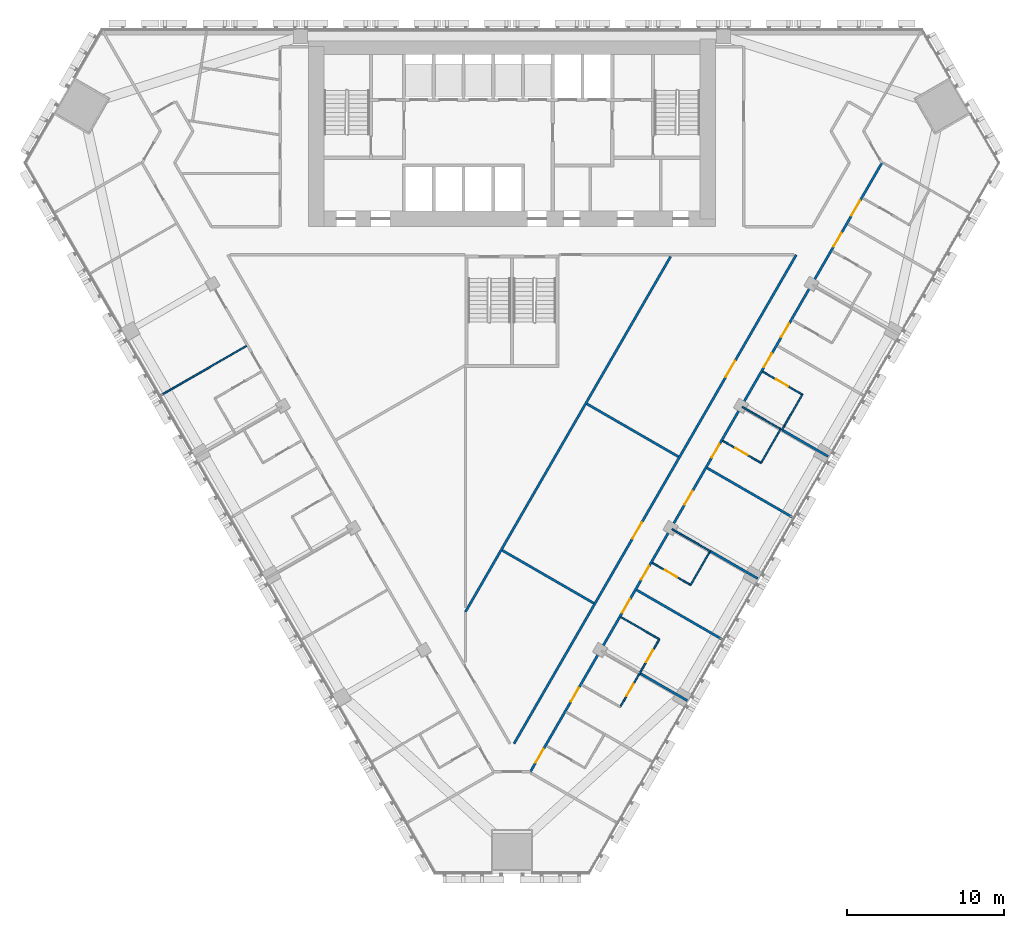
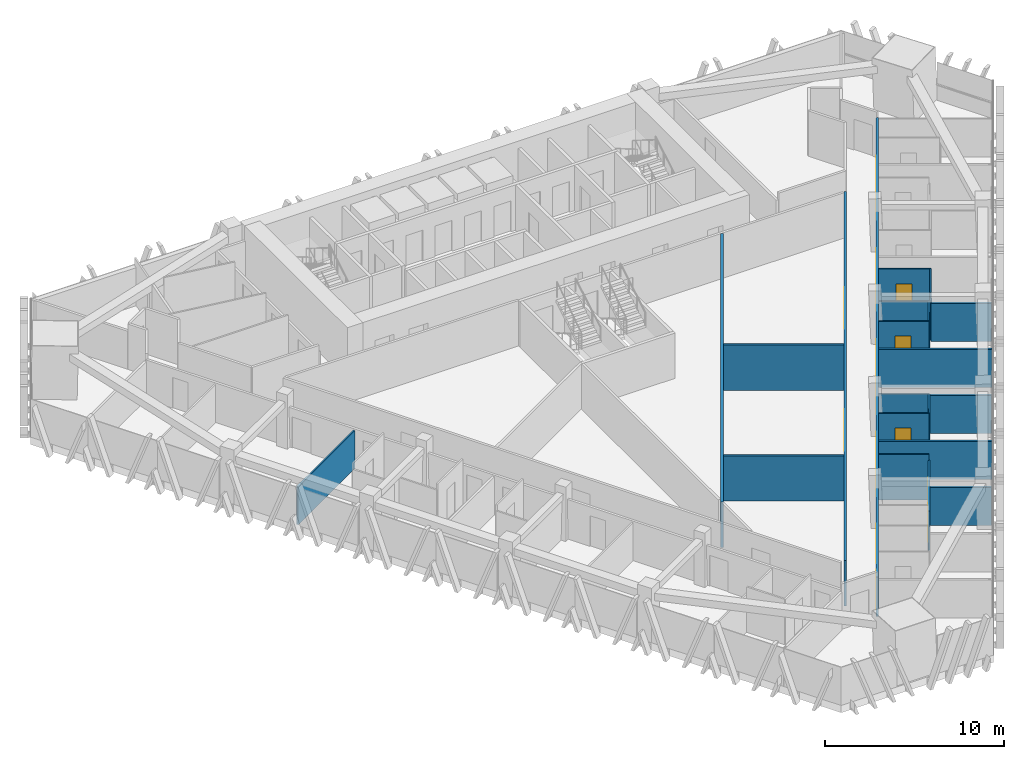
# One storey, part 11 of 18: 22 walls, 17 doors, 17 openings.
"""IFC4 building model written with IfcOpenShell, lengths in metres."""

from ifc_helpers import new_model, si_unit, direction, frame, frame_2d, origin, place, context, subcontext, project, spatial, rectangle, extrude, material, layer, layer_set, type_object, element, fill, save


model = new_model("IFC4")

# Units and contexts
model_context = context("Model", 3, precision=1e-05, world=origin(), true_north=direction((0.0, 1.0)))
body_context = subcontext(model_context, "Body", "Model", "MODEL_VIEW")
ifc_project = project(units=[si_unit("LENGTHUNIT", "METRE"), si_unit("AREAUNIT", "SQUARE_METRE"), si_unit("VOLUMEUNIT", "CUBIC_METRE"), si_unit("PLANEANGLEUNIT", "RADIAN"), si_unit("MASSUNIT", "GRAM", prefix="KILO")], contexts=[model_context])

# Site, building, storey
site_placement = place(None, origin())
site = spatial("IfcSite", under=ifc_project, at=site_placement, CompositionType="ELEMENT")
building_placement = place(site_placement, origin())
building = spatial("IfcBuilding", under=site, at=building_placement, Name="Altiplano Prism Tower", CompositionType="ELEMENT")
storey_placement = place(building_placement, frame((0.0, 0.0, 34.199951171875)))
storey = spatial("IfcBuildingStorey", under=building, at=storey_placement, Name="L07", CompositionType="ELEMENT", Elevation=34.199951171875)

# Wall
ifc_material_1 = material(Name="Plasterboard on steel stud", Category="steel")
ifc_layer_1 = layer(ifc_material_1, 0.10009765625)
ifc_layer_set_1 = layer_set([ifc_layer_1], Name="Plasterboard on steel stud")
wall_type_1 = type_object("IfcWallType", Name="Partition 100 unit", PredefinedType="PARTITIONING", material=ifc_layer_set_1)
wall_1_placement = place(storey_placement, frame((91.96240234375, 67.46337890625, 0.0), z_axis=(0.0, 0.0, 1.0), x_axis=(0.866011447264, -0.500024172624, 0.0)))
element("IfcWall", 1, at=wall_1_placement, inside=storey, type_object=wall_type_1, Name="Partition P02 L07 061", PredefinedType="PARTITIONING", context=body_context, shape_type="SweptSolid", body=[
    extrude(rectangle(XDim=2.824951171875, YDim=0.10009765625, at=frame_2d((1.41259765625, 0.0))), origin(), (0.0, 0.0, 1.0), 3.10009765625),
])

# Wall, openings, doors
wall_2_placement = place(storey_placement, frame((94.408935546875, 66.05078125, 0.0), z_axis=(0.0, 0.0, 1.0), x_axis=(-0.500004234368, -0.866022959057, 0.0)))
wall_2 = element("IfcWall", 2, at=wall_2_placement, inside=storey, type_object=wall_type_1, Name="Partition P02 L07 062", PredefinedType="PARTITIONING", context=body_context, shape_type="SweptSolid", body=[
    extrude(rectangle(XDim=5.0, YDim=0.10009765625, at=frame_2d((2.5, 0.0))), origin(), (0.0, 0.0, 1.0), 2.699951171875),
])
opening_1_placement = place(wall_2_placement, frame((3.300048828125, 0.0, 0.0)))
opening_1 = element("IfcOpeningElement", 3, at=opening_1_placement, cuts=wall_2, Name="Opening D0249", PredefinedType="OPENING", context=body_context, shape_type="SweptSolid", body=[
    extrude(rectangle(XDim=0.89990234375, YDim=2.10009765625, at=frame_2d((0.449951171875, 1.050048828125))), frame((0.0, 0.060546875, 0.0), z_axis=(0.0, -1.0, 0.0), x_axis=(1.0, 0.0, 0.0)), (0.0, 0.0, 1.0), 0.12109375),
])
opening_2_placement = place(wall_2_placement, frame((0.800048828125, 0.0, 0.0)))
opening_2 = element("IfcOpeningElement", 4, at=opening_2_placement, cuts=wall_2, Name="Opening D0251", PredefinedType="OPENING", context=body_context, shape_type="SweptSolid", body=[
    extrude(rectangle(XDim=0.89990234375, YDim=2.10009765625, at=frame_2d((0.449951171875, 1.050048828125))), frame((0.0, 0.060546875, 0.0), z_axis=(0.0, -1.0, 0.0), x_axis=(1.0, 0.0, 0.0)), (0.0, 0.0, 1.0), 0.12109375),
])
ifc_material_2 = material(Name="Timber", Category="wood")
door_type_1 = type_object("IfcDoorType", Name="Ensuite door 900 x 2100", OperationType="NOTDEFINED", PredefinedType="NOTDEFINED", material=ifc_material_2)
door_1_placement = place(opening_1_placement, origin())
door_1 = element("IfcDoor", 5, at=door_1_placement, inside=storey, type_object=door_type_1, Name="Door D0249", OperationType="SINGLE_SWING_RIGHT", OverallHeight=2.10009765625, OverallWidth=0.89990234375, PredefinedType="NOTDEFINED", context=body_context, shape_type="SweptSolid", body=[
    extrude(rectangle(XDim=0.89990234375, YDim=2.10009765625, at=frame_2d((0.449951171875, 1.050048828125))), frame((0.0, 0.02490234375, 0.0), z_axis=(0.0, -1.0, 0.0), x_axis=(1.0, 0.0, 0.0)), (0.0, 0.0, 1.0), 0.050048828125),
])
fill(opening_1, door_1)
door_2_placement = place(opening_2_placement, origin())
door_2 = element("IfcDoor", 6, at=door_2_placement, inside=storey, type_object=door_type_1, Name="Door D0251", OperationType="SINGLE_SWING_RIGHT", OverallHeight=2.10009765625, OverallWidth=0.89990234375, PredefinedType="NOTDEFINED", context=body_context, shape_type="SweptSolid", body=[
    extrude(rectangle(XDim=0.89990234375, YDim=2.10009765625, at=frame_2d((0.449951171875, 1.050048828125))), frame((0.0, 0.02490234375, 0.0), z_axis=(0.0, -1.0, 0.0), x_axis=(1.0, 0.0, 0.0)), (0.0, 0.0, 1.0), 0.050048828125),
])
fill(opening_2, door_2)

# Wall
wall_3_placement = place(storey_placement, frame((97.621337890625, 71.614990234375, 0.0), z_axis=(0.0, 0.0, 1.0), x_axis=(-0.499972286653, -0.866041403502, 0.0)))
element("IfcWall", 7, at=wall_3_placement, inside=storey, type_object=wall_type_1, Name="Partition P02 L07 064", PredefinedType="PARTITIONING", context=body_context, shape_type="SweptSolid", body=[
    extrude(rectangle(XDim=2.425048828125, YDim=0.10009765625, at=frame_2d((1.21240234375, 0.0))), origin(), (0.0, 0.0, 1.0), 2.699951171875),
])

# Wall, opening, door
wall_4_placement = place(storey_placement, frame((96.408935546875, 69.514892578125, 0.0), z_axis=(0.0, 0.0, 1.0), x_axis=(-0.866011447264, 0.500024172624, 0.0)))
wall_4 = element("IfcWall", 8, at=wall_4_placement, inside=storey, type_object=wall_type_1, Name="Partition P02 L07 065", PredefinedType="PARTITIONING", context=body_context, shape_type="SweptSolid", body=[
    extrude(rectangle(XDim=2.824951171875, YDim=0.10009765625, at=frame_2d((1.41259765625, 0.0))), origin(), (0.0, 0.0, 1.0), 3.10009765625),
])
opening_3_placement = place(wall_4_placement, frame((1.0, 0.0, 0.0)))
opening_3 = element("IfcOpeningElement", 9, at=opening_3_placement, cuts=wall_4, Name="Opening D0253", PredefinedType="OPENING", context=body_context, shape_type="SweptSolid", body=[
    extrude(rectangle(XDim=0.89990234375, YDim=2.10009765625, at=frame_2d((0.449951171875, 1.050048828125))), frame((0.0, 0.060546875, 0.0), z_axis=(0.0, -1.0, 0.0), x_axis=(1.0, 0.0, 0.0)), (0.0, 0.0, 1.0), 0.12109375),
])
door_3_placement = place(opening_3_placement, origin())
door_3 = element("IfcDoor", 10, at=door_3_placement, inside=storey, type_object=door_type_1, Name="Door D0253", OperationType="SINGLE_SWING_RIGHT", OverallHeight=2.10009765625, OverallWidth=0.89990234375, PredefinedType="NOTDEFINED", context=body_context, shape_type="SweptSolid", body=[
    extrude(rectangle(XDim=0.89990234375, YDim=2.10009765625, at=frame_2d((0.449951171875, 1.050048828125))), frame((0.0, 0.02490234375, 0.0), z_axis=(0.0, -1.0, 0.0), x_axis=(1.0, 0.0, 0.0)), (0.0, 0.0, 1.0), 0.050048828125),
])
fill(opening_3, door_3)

# Wall
wall_5_placement = place(storey_placement, frame((102.158935546875, 79.47412109375, 0.0), z_axis=(0.0, 0.0, 1.0), x_axis=(-0.500004234368, -0.866022959057, 0.0)))
element("IfcWall", 11, at=wall_5_placement, inside=storey, type_object=wall_type_1, Name="Partition P02 L07 069", PredefinedType="PARTITIONING", context=body_context, shape_type="SweptSolid", body=[
    extrude(rectangle(XDim=2.5, YDim=0.10009765625, at=frame_2d((1.25, 0.0))), origin(), (0.0, 0.0, 1.0), 2.699951171875),
])

# Wall, opening, door
wall_6_placement = place(storey_placement, frame((100.908935546875, 77.30908203125, 0.0), z_axis=(0.0, 0.0, 1.0), x_axis=(-0.866011447264, 0.500024172624, 0.0)))
wall_6 = element("IfcWall", 12, at=wall_6_placement, inside=storey, type_object=wall_type_1, Name="Partition P02 L07 070", PredefinedType="PARTITIONING", context=body_context, shape_type="SweptSolid", body=[
    extrude(rectangle(XDim=2.824951171875, YDim=0.10009765625, at=frame_2d((1.41259765625, 0.0))), origin(), (0.0, 0.0, 1.0), 3.10009765625),
])
opening_4_placement = place(wall_6_placement, frame((1.0, 0.0, 0.0)))
opening_4 = element("IfcOpeningElement", 13, at=opening_4_placement, cuts=wall_6, Name="Opening D0256", PredefinedType="OPENING", context=body_context, shape_type="SweptSolid", body=[
    extrude(rectangle(XDim=0.89990234375, YDim=2.10009765625, at=frame_2d((0.449951171875, 1.050048828125))), frame((0.0, 0.060546875, 0.0), z_axis=(0.0, -1.0, 0.0), x_axis=(1.0, 0.0, 0.0)), (0.0, 0.0, 1.0), 0.12109375),
])
door_4_placement = place(opening_4_placement, origin())
door_4 = element("IfcDoor", 14, at=door_4_placement, inside=storey, type_object=door_type_1, Name="Door D0256", OperationType="SINGLE_SWING_LEFT", OverallHeight=2.10009765625, OverallWidth=0.89990234375, PredefinedType="NOTDEFINED", context=body_context, shape_type="SweptSolid", body=[
    extrude(rectangle(XDim=0.89990234375, YDim=2.10009765625, at=frame_2d((0.449951171875, 1.050048828125))), frame((0.0, 0.02490234375, 0.0), z_axis=(0.0, -1.0, 0.0), x_axis=(1.0, 0.0, 0.0)), (0.0, 0.0, 1.0), 0.050048828125),
])
fill(opening_4, door_4)

wall_7_placement = place(storey_placement, frame((101.012451171875, 83.138427734375, 0.0), z_axis=(0.0, 0.0, 1.0), x_axis=(0.865989585315, -0.500062034277, 0.0)))
wall_7 = element("IfcWall", 15, at=wall_7_placement, inside=storey, type_object=wall_type_1, Name="Partition P02 L07 073", PredefinedType="PARTITIONING", context=body_context, shape_type="SweptSolid", body=[
    extrude(rectangle(XDim=2.925048828125, YDim=0.10009765625, at=frame_2d((1.46240234375, 0.0))), origin(), (0.0, 0.0, 1.0), 3.10009765625),
])
opening_5_placement = place(wall_7_placement, frame((0.97509765625, 0.0, 0.0)))
opening_5 = element("IfcOpeningElement", 16, at=opening_5_placement, cuts=wall_7, Name="Opening D0258", PredefinedType="OPENING", context=body_context, shape_type="SweptSolid", body=[
    extrude(rectangle(XDim=0.89990234375, YDim=2.10009765625, at=frame_2d((0.449951171875, 1.050048828125))), frame((0.0, 0.060546875, 0.0), z_axis=(0.0, -1.0, 0.0), x_axis=(1.0, 0.0, 0.0)), (0.0, 0.0, 1.0), 0.12109375),
])
door_5_placement = place(opening_5_placement, origin())
door_5 = element("IfcDoor", 17, at=door_5_placement, inside=storey, type_object=door_type_1, Name="Door D0258", OperationType="SINGLE_SWING_RIGHT", OverallHeight=2.10009765625, OverallWidth=0.89990234375, PredefinedType="NOTDEFINED", context=body_context, shape_type="SweptSolid", body=[
    extrude(rectangle(XDim=0.89990234375, YDim=2.10009765625, at=frame_2d((0.449951171875, 1.050048828125))), frame((0.0, 0.02490234375, 0.0), z_axis=(0.0, -1.0, 0.0), x_axis=(1.0, 0.0, 0.0)), (0.0, 0.0, 1.0), 0.050048828125),
])
fill(opening_5, door_5)

# Walls
wall_8_placement = place(storey_placement, frame((103.54541015625, 81.67578125, 0.0), z_axis=(0.0, 0.0, 1.0), x_axis=(-0.499998129301, -0.86602648383, 0.0)))
element("IfcWall", 18, at=wall_8_placement, inside=storey, type_object=wall_type_1, Name="Partition P02 L07 074", PredefinedType="PARTITIONING", context=body_context, shape_type="SweptSolid", body=[
    extrude(rectangle(XDim=2.2998046875, YDim=0.10009765625, at=frame_2d((1.14990234375, 0.0))), origin(), (0.0, 0.0, 1.0), 3.10009765625),
])
wall_9_placement = place(storey_placement, frame((102.3955078125, 79.68408203125, 0.0), z_axis=(0.0, 0.0, 1.0), x_axis=(-0.500426713919, -0.865778900179, 0.0)))
element("IfcWall", 19, at=wall_9_placement, inside=storey, type_object=wall_type_1, Name="Partition P02 L07 075", PredefinedType="PARTITIONING", context=body_context, shape_type="SweptSolid", body=[
    extrude(rectangle(XDim=0.300048828125, YDim=0.10009765625, at=frame_2d((0.14990234375, 0.0))), origin(), (0.0, 0.0, 1.0), 2.699951171875),
])
ifc_layer_2 = layer(ifc_material_1, 0.10009765625)
ifc_layer_set_2 = layer_set([ifc_layer_2], Name="Plasterboard on steel stud")
wall_type_2 = type_object("IfcWallType", Name="Partition 100 wet", PredefinedType="PARTITIONING", material=ifc_layer_set_2)
wall_10_placement = place(storey_placement, frame((62.54248046875, 81.611328125, 0.0), z_axis=(0.0, 0.0, 1.0), x_axis=(0.866025401434, 0.500000004071, 0.0)))
element("IfcWall", 20, at=wall_10_placement, inside=storey, type_object=wall_type_2, Name="Partition P03 L07 037", PredefinedType="PARTITIONING", context=body_context, shape_type="SweptSolid", body=[
    extrude(rectangle(XDim=6.34521484375, YDim=0.10009765625, at=frame_2d((3.172607421875, 0.0))), origin(), (0.0, 0.0, 1.0), 2.60009765625),
])
for number, where, z_axis, x_axis, name in (
    (21, (97.67626953125, 71.669921875, 0.0), (0.0, 0.0, 1.0), (-0.866011243319, 0.500024525844, 0.0), "Partition P03 L07 067"),
    (22, (102.17626953125, 79.464111328125, 0.0), (0.0, 0.0, 1.0), (-0.866011243319, 0.500024525844, 0.0), "Partition P03 L07 072"),
):
    element("IfcWall", number, at=place(storey_placement, frame(where, z_axis=z_axis, x_axis=x_axis)), inside=storey, type_object=wall_type_2, Name=name, PredefinedType="PARTITIONING", context=body_context, shape_type="SweptSolid", body=[
        extrude(rectangle(XDim=2.844970703125, YDim=0.10009765625, at=frame_2d((1.42236328125, 0.0))), origin(), (0.0, 0.0, 1.0), 2.699951171875),
    ])

# Wall, openings, doors
ifc_layer_3 = layer(ifc_material_1, 0.14990234375)
ifc_layer_set_3 = layer_set([ifc_layer_3], Name="Plasterboard on steel stud")
wall_type_3 = type_object("IfcWallType", Name="Partition 150 corridor", PredefinedType="PARTITIONING", material=ifc_layer_set_3)
wall_11_placement = place(storey_placement, frame((86.170166015625, 57.5810546875, 0.0), z_axis=(0.0, 0.0, 1.0), x_axis=(0.499999785607, 0.866025527565, 0.0)))
wall_11 = element("IfcWall", 23, at=wall_11_placement, inside=storey, type_object=wall_type_3, Name="Partition P06 L07 012", PredefinedType="PARTITIONING", context=body_context, shape_type="SweptSolid", body=[
    extrude(rectangle(XDim=44.90869140625, YDim=0.14990234375, at=frame_2d((22.454345703125, 0.0))), origin(), (0.0, 0.0, 1.0), 2.699951171875),
])
opening_6_placement = place(wall_11_placement, frame((0.675048828125, 0.0, 0.0)))
opening_6 = element("IfcOpeningElement", 24, at=opening_6_placement, cuts=wall_11, Name="Opening D0246", PredefinedType="OPENING", context=body_context, shape_type="SweptSolid", body=[
    extrude(rectangle(XDim=1.0, YDim=2.10009765625, at=frame_2d((0.5, 1.050048828125))), frame((0.0, 0.08544921875, 0.0), z_axis=(0.0, -1.0, 0.0), x_axis=(1.0, 0.0, 0.0)), (0.0, 0.0, 1.0), 0.1708984375),
])
opening_7_placement = place(wall_11_placement, frame((5.175048828125, 0.0, 0.0)))
opening_7 = element("IfcOpeningElement", 25, at=opening_7_placement, cuts=wall_11, Name="Opening D0248", PredefinedType="OPENING", context=body_context, shape_type="SweptSolid", body=[
    extrude(rectangle(XDim=1.0, YDim=2.10009765625, at=frame_2d((0.5, 1.050048828125))), frame((0.0, 0.08544921875, 0.0), z_axis=(0.0, -1.0, 0.0), x_axis=(1.0, 0.0, 0.0)), (0.0, 0.0, 1.0), 0.1708984375),
])
opening_8_placement = place(wall_11_placement, frame((11.73388671875, 0.0, 0.0)))
opening_8 = element("IfcOpeningElement", 26, at=opening_8_placement, cuts=wall_11, Name="Opening D0250", PredefinedType="OPENING", context=body_context, shape_type="SweptSolid", body=[
    extrude(rectangle(XDim=1.0, YDim=2.10009765625, at=frame_2d((0.5, 1.050048828125))), frame((0.0, 0.08544921875, 0.0), z_axis=(0.0, -1.0, 0.0), x_axis=(1.0, 0.0, 0.0)), (0.0, 0.0, 1.0), 0.1708984375),
])
opening_9_placement = place(wall_11_placement, frame((14.175048828125, 0.0, 0.0)))
opening_9 = element("IfcOpeningElement", 27, at=opening_9_placement, cuts=wall_11, Name="Opening D0252", PredefinedType="OPENING", context=body_context, shape_type="SweptSolid", body=[
    extrude(rectangle(XDim=1.0, YDim=2.10009765625, at=frame_2d((0.5, 1.050048828125))), frame((0.0, 0.08544921875, 0.0), z_axis=(0.0, -1.0, 0.0), x_axis=(1.0, 0.0, 0.0)), (0.0, 0.0, 1.0), 0.1708984375),
])
opening_10_placement = place(wall_11_placement, frame((19.7041015625, 0.0, 0.0)))
opening_10 = element("IfcOpeningElement", 28, at=opening_10_placement, cuts=wall_11, Name="Opening D0254", PredefinedType="OPENING", context=body_context, shape_type="SweptSolid", body=[
    extrude(rectangle(XDim=1.0, YDim=2.10009765625, at=frame_2d((0.5, 1.050048828125))), frame((0.0, 0.08544921875, 0.0), z_axis=(0.0, -1.0, 0.0), x_axis=(1.0, 0.0, 0.0)), (0.0, 0.0, 1.0), 0.1708984375),
])
opening_11_placement = place(wall_11_placement, frame((23.175048828125, 0.0, 0.0)))
opening_11 = element("IfcOpeningElement", 29, at=opening_11_placement, cuts=wall_11, Name="Opening D0255", PredefinedType="OPENING", context=body_context, shape_type="SweptSolid", body=[
    extrude(rectangle(XDim=1.0, YDim=2.10009765625, at=frame_2d((0.5, 1.050048828125))), frame((0.0, 0.08544921875, 0.0), z_axis=(0.0, -1.0, 0.0), x_axis=(1.0, 0.0, 0.0)), (0.0, 0.0, 1.0), 0.1708984375),
])
opening_12_placement = place(wall_11_placement, frame((29.85009765625, 0.0, 0.0)))
opening_12 = element("IfcOpeningElement", 30, at=opening_12_placement, cuts=wall_11, Name="Opening D0257", PredefinedType="OPENING", context=body_context, shape_type="SweptSolid", body=[
    extrude(rectangle(XDim=1.0, YDim=2.10009765625, at=frame_2d((0.5, 1.050048828125))), frame((0.0, 0.08544921875, 0.0), z_axis=(0.0, -1.0, 0.0), x_axis=(1.0, 0.0, 0.0)), (0.0, 0.0, 1.0), 0.1708984375),
])
opening_13_placement = place(wall_11_placement, frame((32.05908203125, 0.0, 0.0)))
opening_13 = element("IfcOpeningElement", 31, at=opening_13_placement, cuts=wall_11, Name="Opening D0259", PredefinedType="OPENING", context=body_context, shape_type="SweptSolid", body=[
    extrude(rectangle(XDim=1.0, YDim=2.10009765625, at=frame_2d((0.5, 1.050048828125))), frame((0.0, 0.08544921875, 0.0), z_axis=(0.0, -1.0, 0.0), x_axis=(1.0, 0.0, 0.0)), (0.0, 0.0, 1.0), 0.1708984375),
])
opening_14_placement = place(wall_11_placement, frame((38.73388671875, 0.0, 0.0)))
opening_14 = element("IfcOpeningElement", 32, at=opening_14_placement, cuts=wall_11, Name="Opening D0261", PredefinedType="OPENING", context=body_context, shape_type="SweptSolid", body=[
    extrude(rectangle(XDim=1.0, YDim=2.10009765625, at=frame_2d((0.5, 1.050048828125))), frame((0.0, 0.08544921875, 0.0), z_axis=(0.0, -1.0, 0.0), x_axis=(1.0, 0.0, 0.0)), (0.0, 0.0, 1.0), 0.1708984375),
])
opening_15_placement = place(wall_11_placement, frame((41.02490234375, 0.0, 0.0)))
opening_15 = element("IfcOpeningElement", 33, at=opening_15_placement, cuts=wall_11, Name="Opening D0263", PredefinedType="OPENING", context=body_context, shape_type="SweptSolid", body=[
    extrude(rectangle(XDim=1.10009765625, YDim=2.10009765625, at=frame_2d((0.550048828125, 1.050048828125))), frame((0.0, 0.08544921875, 0.0), z_axis=(0.0, -1.0, 0.0), x_axis=(1.0, 0.0, 0.0)), (0.0, 0.0, 1.0), 0.1708984375),
])
door_type_2 = type_object("IfcDoorType", Name="Accessible bedroom door 1100 x 2100", OperationType="NOTDEFINED", PredefinedType="NOTDEFINED", material=ifc_material_2)
door_6_placement = place(opening_15_placement, origin())
door_6 = element("IfcDoor", 34, at=door_6_placement, inside=storey, type_object=door_type_2, Name="Door D0263", OperationType="SINGLE_SWING_RIGHT", OverallHeight=2.10009765625, OverallWidth=1.10009765625, PredefinedType="NOTDEFINED", context=body_context, shape_type="SweptSolid", body=[
    extrude(rectangle(XDim=1.10009765625, YDim=2.10009765625, at=frame_2d((0.550048828125, 1.050048828125))), frame((0.0, 0.02490234375, 0.0), z_axis=(0.0, -1.0, 0.0), x_axis=(1.0, 0.0, 0.0)), (0.0, 0.0, 1.0), 0.050048828125),
])
fill(opening_15, door_6)
door_type_3 = type_object("IfcDoorType", Name="Bedroom entrance door 1000 x 2100", OperationType="NOTDEFINED", PredefinedType="NOTDEFINED", material=ifc_material_2)
door_7_placement = place(opening_6_placement, origin())
door_7 = element("IfcDoor", 35, at=door_7_placement, inside=storey, type_object=door_type_3, Name="Door D0246", OperationType="SINGLE_SWING_RIGHT", OverallHeight=2.10009765625, OverallWidth=1.0, PredefinedType="NOTDEFINED", context=body_context, shape_type="SweptSolid", body=[
    extrude(rectangle(XDim=1.0, YDim=2.10009765625, at=frame_2d((0.5, 1.050048828125))), frame((0.0, 0.02490234375, 0.0), z_axis=(0.0, -1.0, 0.0), x_axis=(1.0, 0.0, 0.0)), (0.0, 0.0, 1.0), 0.050048828125),
])
fill(opening_6, door_7)
door_8_placement = place(opening_7_placement, origin())
door_8 = element("IfcDoor", 36, at=door_8_placement, inside=storey, type_object=door_type_3, Name="Door D0248", OperationType="SINGLE_SWING_RIGHT", OverallHeight=2.10009765625, OverallWidth=1.0, PredefinedType="NOTDEFINED", context=body_context, shape_type="SweptSolid", body=[
    extrude(rectangle(XDim=1.0, YDim=2.10009765625, at=frame_2d((0.5, 1.050048828125))), frame((0.0, 0.02490234375, 0.0), z_axis=(0.0, -1.0, 0.0), x_axis=(1.0, 0.0, 0.0)), (0.0, 0.0, 1.0), 0.050048828125),
])
fill(opening_7, door_8)
door_9_placement = place(opening_8_placement, origin())
door_9 = element("IfcDoor", 37, at=door_9_placement, inside=storey, type_object=door_type_3, Name="Door D0250", OperationType="SINGLE_SWING_RIGHT", OverallHeight=2.10009765625, OverallWidth=1.0, PredefinedType="NOTDEFINED", context=body_context, shape_type="SweptSolid", body=[
    extrude(rectangle(XDim=1.0, YDim=2.10009765625, at=frame_2d((0.5, 1.050048828125))), frame((0.0, 0.02490234375, 0.0), z_axis=(0.0, -1.0, 0.0), x_axis=(1.0, 0.0, 0.0)), (0.0, 0.0, 1.0), 0.050048828125),
])
fill(opening_8, door_9)
door_10_placement = place(opening_9_placement, origin())
door_10 = element("IfcDoor", 38, at=door_10_placement, inside=storey, type_object=door_type_3, Name="Door D0252", OperationType="SINGLE_SWING_LEFT", OverallHeight=2.10009765625, OverallWidth=1.0, PredefinedType="NOTDEFINED", context=body_context, shape_type="SweptSolid", body=[
    extrude(rectangle(XDim=1.0, YDim=2.10009765625, at=frame_2d((0.5, 1.050048828125))), frame((0.0, 0.02490234375, 0.0), z_axis=(0.0, -1.0, 0.0), x_axis=(1.0, 0.0, 0.0)), (0.0, 0.0, 1.0), 0.050048828125),
])
fill(opening_9, door_10)
door_11_placement = place(opening_11_placement, origin())
door_11 = element("IfcDoor", 39, at=door_11_placement, inside=storey, type_object=door_type_3, Name="Door D0255", OperationType="SINGLE_SWING_RIGHT", OverallHeight=2.10009765625, OverallWidth=1.0, PredefinedType="NOTDEFINED", context=body_context, shape_type="SweptSolid", body=[
    extrude(rectangle(XDim=1.0, YDim=2.10009765625, at=frame_2d((0.5, 1.050048828125))), frame((0.0, 0.02490234375, 0.0), z_axis=(0.0, -1.0, 0.0), x_axis=(1.0, 0.0, 0.0)), (0.0, 0.0, 1.0), 0.050048828125),
])
fill(opening_11, door_11)
door_12_placement = place(opening_12_placement, origin())
door_12 = element("IfcDoor", 40, at=door_12_placement, inside=storey, type_object=door_type_3, Name="Door D0257", OperationType="SINGLE_SWING_RIGHT", OverallHeight=2.10009765625, OverallWidth=1.0, PredefinedType="NOTDEFINED", context=body_context, shape_type="SweptSolid", body=[
    extrude(rectangle(XDim=1.0, YDim=2.10009765625, at=frame_2d((0.5, 1.050048828125))), frame((0.0, 0.02490234375, 0.0), z_axis=(0.0, -1.0, 0.0), x_axis=(1.0, 0.0, 0.0)), (0.0, 0.0, 1.0), 0.050048828125),
])
fill(opening_12, door_12)
door_13_placement = place(opening_13_placement, origin())
door_13 = element("IfcDoor", 41, at=door_13_placement, inside=storey, type_object=door_type_3, Name="Door D0259", OperationType="SINGLE_SWING_LEFT", OverallHeight=2.10009765625, OverallWidth=1.0, PredefinedType="NOTDEFINED", context=body_context, shape_type="SweptSolid", body=[
    extrude(rectangle(XDim=1.0, YDim=2.10009765625, at=frame_2d((0.5, 1.050048828125))), frame((0.0, 0.02490234375, 0.0), z_axis=(0.0, -1.0, 0.0), x_axis=(1.0, 0.0, 0.0)), (0.0, 0.0, 1.0), 0.050048828125),
])
fill(opening_13, door_13)
door_14_placement = place(opening_14_placement, origin())
door_14 = element("IfcDoor", 42, at=door_14_placement, inside=storey, type_object=door_type_3, Name="Door D0261", OperationType="SINGLE_SWING_RIGHT", OverallHeight=2.10009765625, OverallWidth=1.0, PredefinedType="NOTDEFINED", context=body_context, shape_type="SweptSolid", body=[
    extrude(rectangle(XDim=1.0, YDim=2.10009765625, at=frame_2d((0.5, 1.050048828125))), frame((0.0, 0.02490234375, 0.0), z_axis=(0.0, -1.0, 0.0), x_axis=(1.0, 0.0, 0.0)), (0.0, 0.0, 1.0), 0.050048828125),
])
fill(opening_14, door_14)
door_type_4 = type_object("IfcDoorType", Name="Room door 1000 x 2100", OperationType="NOTDEFINED", PredefinedType="NOTDEFINED", material=ifc_material_2)
door_15_placement = place(opening_10_placement, origin())
door_15 = element("IfcDoor", 43, at=door_15_placement, inside=storey, type_object=door_type_4, Name="Door D0254", OperationType="SINGLE_SWING_LEFT", OverallHeight=2.10009765625, OverallWidth=1.0, PredefinedType="NOTDEFINED", context=body_context, shape_type="SweptSolid", body=[
    extrude(rectangle(XDim=1.0, YDim=2.10009765625, at=frame_2d((0.5, 1.050048828125))), frame((0.0, 0.02490234375, 0.0), z_axis=(0.0, -1.0, 0.0), x_axis=(1.0, 0.0, 0.0)), (0.0, 0.0, 1.0), 0.050048828125),
])
fill(opening_10, door_15)

wall_12_placement = place(storey_placement, frame((103.1552734375, 90.60009765625, 0.0), z_axis=(0.0, 0.0, 1.0), x_axis=(-0.499997404558, -0.866026902258, 0.0)))
wall_12 = element("IfcWall", 44, at=wall_12_placement, inside=storey, type_object=wall_type_3, Name="Partition P06 L07 024", PredefinedType="PARTITIONING", context=body_context, shape_type="SweptSolid", body=[
    extrude(rectangle(XDim=36.048583984375, YDim=0.14990234375, at=frame_2d((18.0244140625, 0.0))), origin(), (0.0, 0.0, 1.0), 3.10009765625),
])
opening_16_placement = place(wall_12_placement, frame((7.80908203125, 0.0, 0.0)))
opening_16 = element("IfcOpeningElement", 45, at=opening_16_placement, cuts=wall_12, Name="Opening D0269", PredefinedType="OPENING", context=body_context, shape_type="SweptSolid", body=[
    extrude(rectangle(XDim=1.199951171875, YDim=2.10009765625, at=frame_2d((0.60009765625, 1.050048828125))), frame((0.0, 0.08544921875, 0.0), z_axis=(0.0, -1.0, 0.0), x_axis=(1.0, 0.0, 0.0)), (0.0, 0.0, 1.0), 0.1708984375),
])
opening_17_placement = place(wall_12_placement, frame((19.73095703125, 0.0, 0.0)))
opening_17 = element("IfcOpeningElement", 46, at=opening_17_placement, cuts=wall_12, Name="Opening D0271", PredefinedType="OPENING", context=body_context, shape_type="SweptSolid", body=[
    extrude(rectangle(XDim=1.199951171875, YDim=2.10009765625, at=frame_2d((0.60009765625, 1.050048828125))), frame((0.0, 0.08544921875, 0.0), z_axis=(0.0, -1.0, 0.0), x_axis=(1.0, 0.0, 0.0)), (0.0, 0.0, 1.0), 0.1708984375),
])
door_type_5 = type_object("IfcDoorType", Name="Shared room door 1200 x 2100", OperationType="NOTDEFINED", PredefinedType="NOTDEFINED", material=ifc_material_2)
door_16_placement = place(opening_16_placement, origin())
door_16 = element("IfcDoor", 47, at=door_16_placement, inside=storey, type_object=door_type_5, Name="Door D0269", OperationType="SINGLE_SWING_RIGHT", OverallHeight=2.10009765625, OverallWidth=1.199951171875, PredefinedType="NOTDEFINED", context=body_context, shape_type="SweptSolid", body=[
    extrude(rectangle(XDim=1.199951171875, YDim=2.10009765625, at=frame_2d((0.60009765625, 1.050048828125))), frame((0.0, 0.02490234375, 0.0), z_axis=(0.0, -1.0, 0.0), x_axis=(1.0, 0.0, 0.0)), (0.0, 0.0, 1.0), 0.050048828125),
])
fill(opening_16, door_16)
door_17_placement = place(opening_17_placement, origin())
door_17 = element("IfcDoor", 48, at=door_17_placement, inside=storey, type_object=door_type_5, Name="Door D0271", OperationType="SINGLE_SWING_RIGHT", OverallHeight=2.10009765625, OverallWidth=1.199951171875, PredefinedType="NOTDEFINED", context=body_context, shape_type="SweptSolid", body=[
    extrude(rectangle(XDim=1.199951171875, YDim=2.10009765625, at=frame_2d((0.60009765625, 1.050048828125))), frame((0.0, 0.02490234375, 0.0), z_axis=(0.0, -1.0, 0.0), x_axis=(1.0, 0.0, 0.0)), (0.0, 0.0, 1.0), 0.050048828125),
])
fill(opening_17, door_17)

# Walls
ifc_layer_4 = layer(ifc_material_1, 0.14990234375)
ifc_layer_set_4 = layer_set([ifc_layer_4], Name="Plasterboard on steel stud")
wall_type_4 = type_object("IfcWallType", Name="Partition 150 party", PredefinedType="PARTITIONING", material=ifc_layer_set_4)
wall_13_placement = place(storey_placement, frame((96.18994140625, 62.1357421875, 0.0), z_axis=(0.0, 0.0, 1.0), x_axis=(-0.866013532718, 0.500020560727, 0.0)))
element("IfcWall", 49, at=wall_13_placement, inside=storey, type_object=wall_type_4, Name="Partition P01 L07 059", PredefinedType="PARTITIONING", context=body_context, shape_type="SweptSolid", body=[
    extrude(rectangle(XDim=3.449951171875, YDim=0.14990234375, at=frame_2d((1.72509765625, 0.0))), origin(), (0.0, 0.0, 1.0), 2.60009765625),
])
wall_14_placement = place(storey_placement, frame((98.45751953125, 66.022705078125, 0.0), z_axis=(0.0, 0.0, 1.0), x_axis=(-0.866025401434, 0.500000004071, 0.0)))
element("IfcWall", 50, at=wall_14_placement, inside=storey, type_object=wall_type_4, Name="Partition P01 L07 063", PredefinedType="PARTITIONING", context=body_context, shape_type="SweptSolid", body=[
    extrude(rectangle(XDim=6.34521484375, YDim=0.14990234375, at=frame_2d((3.172607421875, 0.0))), origin(), (0.0, 0.0, 1.0), 2.60009765625),
])
wall_15_placement = place(storey_placement, frame((100.68994140625, 69.929931640625, 0.0), z_axis=(0.0, 0.0, 1.0), x_axis=(-0.866019260715, 0.500010639957, 0.0)))
element("IfcWall", 51, at=wall_15_placement, inside=storey, type_object=wall_type_4, Name="Partition P01 L07 066", PredefinedType="PARTITIONING", context=body_context, shape_type="SweptSolid", body=[
    extrude(rectangle(XDim=3.52001953125, YDim=0.14990234375, at=frame_2d((1.760009765625, 0.0))), origin(), (0.0, 0.0, 1.0), 2.60009765625),
])
wall_16_placement = place(storey_placement, frame((102.95751953125, 73.81689453125, 0.0), z_axis=(0.0, 0.0, 1.0), x_axis=(-0.866025401434, 0.500000004071, 0.0)))
element("IfcWall", 52, at=wall_16_placement, inside=storey, type_object=wall_type_4, Name="Partition P01 L07 068", PredefinedType="PARTITIONING", context=body_context, shape_type="SweptSolid", body=[
    extrude(rectangle(XDim=6.34521484375, YDim=0.14990234375, at=frame_2d((3.172607421875, 0.0))), origin(), (0.0, 0.0, 1.0), 2.60009765625),
])
wall_17_placement = place(storey_placement, frame((105.18994140625, 77.72412109375, 0.0), z_axis=(0.0, 0.0, 1.0), x_axis=(-0.866007419912, 0.500031147688, 0.0)))
element("IfcWall", 53, at=wall_17_placement, inside=storey, type_object=wall_type_4, Name="Partition P01 L07 071", PredefinedType="PARTITIONING", context=body_context, shape_type="SweptSolid", body=[
    extrude(rectangle(XDim=3.400146484375, YDim=0.14990234375, at=frame_2d((1.7001953125, 0.0))), origin(), (0.0, 0.0, 1.0), 2.60009765625),
])
wall_18_placement = place(storey_placement, frame((82.026611328125, 67.797607421875, 0.0), z_axis=(0.0, 0.0, 1.0), x_axis=(0.500002623499, 0.866023889101, 0.0)))
element("IfcWall", 54, at=wall_18_placement, inside=storey, type_object=wall_type_4, Name="Partition P01 L07 089", PredefinedType="PARTITIONING", context=body_context, shape_type="SweptSolid", body=[
    extrude(rectangle(XDim=26.199462890625, YDim=0.14990234375, at=frame_2d((13.099609375, 0.0))), origin(), (0.0, 0.0, 1.0), 3.10009765625),
])
for number, where, z_axis, x_axis, name in (
    (55, (89.783447265625, 81.08251953125, 0.0), (0.0, 0.0, 1.0), (0.866027701577, -0.499996020086, 0.0), "Partition P01 L07 091"),
    (56, (84.380859375, 71.72509765625, 0.0), (0.0, 0.0, 1.0), (0.866027701577, -0.499996020086, 0.0), "Partition P01 L07 093"),
):
    element("IfcWall", number, at=place(storey_placement, frame(where, z_axis=z_axis, x_axis=x_axis)), inside=storey, type_object=wall_type_4, Name=name, PredefinedType="PARTITIONING", context=body_context, shape_type="SweptSolid", body=[
        extrude(rectangle(XDim=6.74658203125, YDim=0.14990234375, at=frame_2d((3.373291015625, 0.0))), origin(), (0.0, 0.0, 1.0), 3.10009765625),
    ])

save(model, "model.ifc")
